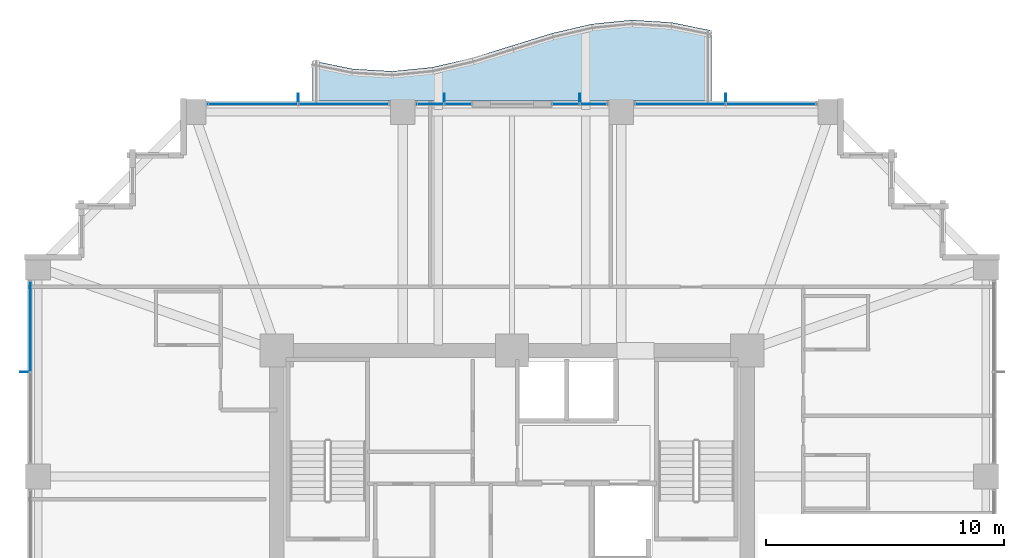
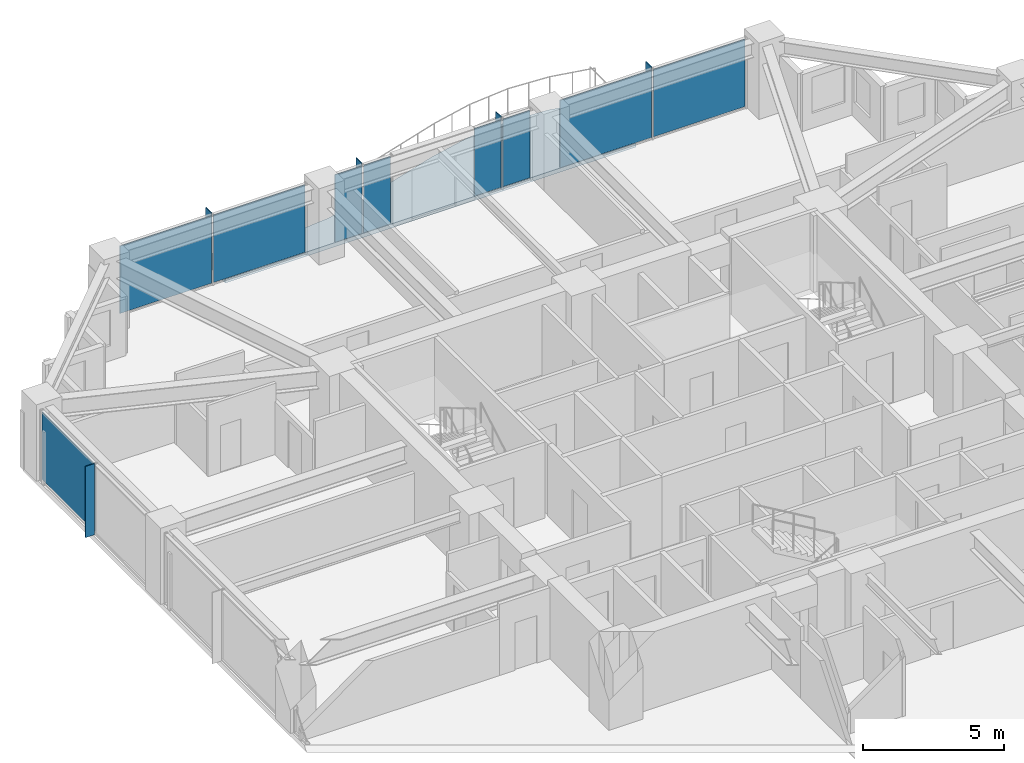
# One storey, part 30 of 38: 14 plates, 1 slab, 5 elements without a shape of their own.
"""IFC4 building model written with IfcOpenShell, lengths in metres."""

from ifc_helpers import new_model, si_unit, direction, frame, origin, origin_2d, place, context, subcontext, project, spatial, polyline, rectangle, outline, extrude, material, layer, layer_set, type_object, element, aggregate, save


model = new_model("IFC4")

# Units and contexts
model_context = context("Model", 3, precision=1e-05, world=origin(), true_north=direction((0.0, 1.0)))
body_context = subcontext(model_context, "Body", "Model", "MODEL_VIEW")
ifc_project = project(units=[si_unit("LENGTHUNIT", "METRE"), si_unit("AREAUNIT", "SQUARE_METRE"), si_unit("VOLUMEUNIT", "CUBIC_METRE"), si_unit("PLANEANGLEUNIT", "RADIAN"), si_unit("MASSUNIT", "GRAM", prefix="KILO")], contexts=[model_context])

# Site, building, storey
site_placement = place(None, origin())
site = spatial("IfcSite", under=ifc_project, at=site_placement, CompositionType="ELEMENT")
building_placement = place(site_placement, origin())
building = spatial("IfcBuilding", under=site, at=building_placement, Name="Kolvaren Belvedere", CompositionType="ELEMENT")
storey_placement = place(building_placement, frame((0.0, 0.0, 98.60009765625)))
storey = spatial("IfcBuildingStorey", under=building, at=storey_placement, Name="L28", CompositionType="ELEMENT", Elevation=98.60009765625)

# Curtain wall, plates
ifc_material_1 = material(Name="Anodised pale-metal aluminium AA 6063-T6", Category="aluminium")
curtain_wall_type = type_object("IfcCurtainWallType", Name="CW-Z2-MID", PredefinedType="NOTDEFINED", material=ifc_material_1)
curtain_wall_1_placement = place(storey_placement, origin())
curtain_wall_1 = element("IfcCurtainWall", 1, at=curtain_wall_1_placement, inside=storey, type_object=curtain_wall_type, Name="L28 Unitised Curtain Wall FCW-L28-N1-B1", PredefinedType="NOTDEFINED")
ifc_material_2 = material(Name="Low-iron triple insulated glass", Category="glass")
ifc_layer_1 = layer(ifc_material_2, 0.028076171875)
ifc_layer_set_1 = layer_set([ifc_layer_1], Name="Low-iron triple insulated glass")
plate_type_1 = type_object("IfcPlateType", Name="CW-PNL-VIS28", PredefinedType="CURTAIN_PANEL", material=ifc_layer_set_1)
plate_1_placement = place(storey_placement, frame((-10.9111328125, 20.280029296875, 0.079833984375), z_axis=(0.0, 0.0, 1.0), x_axis=(1.0, 0.0, 0.0)))
plate_1 = element("IfcPlate", 2, at=plate_1_placement, type_object=plate_type_1, Name="FCW-L28-N1-B1 Vision Glazing Panel 1", PredefinedType="CURTAIN_PANEL", context=body_context, shape_type="SweptSolid", body=[
    extrude(rectangle(XDim=3.742431640625, YDim=0.028076171875, at=origin_2d()), origin(), (0.0, 0.0, 1.0), 2.919921875),
])
plate_2_placement = place(storey_placement, frame((-7.0888671875, 20.280029296875, 0.079833984375), z_axis=(0.0, 0.0, 1.0), x_axis=(1.0, 0.0, 0.0)))
plate_2 = element("IfcPlate", 3, at=plate_2_placement, type_object=plate_type_1, Name="FCW-L28-N1-B1 Vision Glazing Panel 2", PredefinedType="CURTAIN_PANEL", context=body_context, shape_type="SweptSolid", body=[
    extrude(rectangle(XDim=3.742431640625, YDim=0.028076171875, at=origin_2d()), origin(), (0.0, 0.0, 1.0), 2.919921875),
])
aggregate(curtain_wall_1, [plate_1, plate_2])

curtain_wall_2_placement = place(storey_placement, origin())
curtain_wall_2 = element("IfcCurtainWall", 4, at=curtain_wall_2_placement, inside=storey, type_object=curtain_wall_type, Name="L28 Unitised Curtain Wall FCW-L28-N1-B2", PredefinedType="NOTDEFINED")
plate_3_placement = place(storey_placement, frame((-3.43701171875, 20.280029296875, 0.079833984375), z_axis=(0.0, 0.0, 1.0), x_axis=(1.0, 0.0, 0.0)))
plate_3 = element("IfcPlate", 5, at=plate_3_placement, type_object=plate_type_1, Name="FCW-L28-N1-B2 Vision Glazing Panel 1", PredefinedType="CURTAIN_PANEL", context=body_context, shape_type="SweptSolid", body=[
    extrude(rectangle(XDim=1.09130859375, YDim=0.028076171875, at=origin_2d()), origin(), (0.0, 0.0, 1.0), 2.919921875),
])
plate_4_placement = place(storey_placement, frame((-2.265625, 20.280029296875, 0.079833984375), z_axis=(0.0, 0.0, 1.0), x_axis=(1.0, 0.0, 0.0)))
plate_4 = element("IfcPlate", 6, at=plate_4_placement, type_object=plate_type_1, Name="FCW-L28-N1-B2 Vision Glazing Panel 2", PredefinedType="CURTAIN_PANEL", context=body_context, shape_type="SweptSolid", body=[
    extrude(rectangle(XDim=1.09130859375, YDim=0.028076171875, at=origin_2d()), origin(), (0.0, 0.0, 1.0), 2.919921875),
])
aggregate(curtain_wall_2, [plate_3, plate_4])

curtain_wall_3_placement = place(storey_placement, origin())
curtain_wall_3 = element("IfcCurtainWall", 7, at=curtain_wall_3_placement, inside=storey, type_object=curtain_wall_type, Name="L28 Unitised Curtain Wall FCW-L28-N2-B1", PredefinedType="NOTDEFINED")
plate_5_placement = place(storey_placement, frame((2.265625, 20.280029296875, 0.079833984375), z_axis=(0.0, 0.0, 1.0), x_axis=(1.0, 0.0, 0.0)))
plate_5 = element("IfcPlate", 8, at=plate_5_placement, type_object=plate_type_1, Name="FCW-L28-N2-B1 Vision Glazing Panel 1", PredefinedType="CURTAIN_PANEL", context=body_context, shape_type="SweptSolid", body=[
    extrude(rectangle(XDim=1.09130859375, YDim=0.028076171875, at=origin_2d()), origin(), (0.0, 0.0, 1.0), 2.919921875),
])
plate_6_placement = place(storey_placement, frame((3.43701171875, 20.280029296875, 0.079833984375), z_axis=(0.0, 0.0, 1.0), x_axis=(1.0, 0.0, 0.0)))
plate_6 = element("IfcPlate", 9, at=plate_6_placement, type_object=plate_type_1, Name="FCW-L28-N2-B1 Vision Glazing Panel 2", PredefinedType="CURTAIN_PANEL", context=body_context, shape_type="SweptSolid", body=[
    extrude(rectangle(XDim=1.09130859375, YDim=0.028076171875, at=origin_2d()), origin(), (0.0, 0.0, 1.0), 2.919921875),
])
aggregate(curtain_wall_3, [plate_5, plate_6])

curtain_wall_4_placement = place(storey_placement, origin())
curtain_wall_4 = element("IfcCurtainWall", 10, at=curtain_wall_4_placement, inside=storey, type_object=curtain_wall_type, Name="L28 Unitised Curtain Wall FCW-L28-N2-B2", PredefinedType="NOTDEFINED")
plate_7_placement = place(storey_placement, frame((7.0888671875, 20.280029296875, 0.079833984375), z_axis=(0.0, 0.0, 1.0), x_axis=(1.0, 0.0, 0.0)))
plate_7 = element("IfcPlate", 11, at=plate_7_placement, type_object=plate_type_1, Name="FCW-L28-N2-B2 Vision Glazing Panel 1", PredefinedType="CURTAIN_PANEL", context=body_context, shape_type="SweptSolid", body=[
    extrude(rectangle(XDim=3.742431640625, YDim=0.028076171875, at=origin_2d()), origin(), (0.0, 0.0, 1.0), 2.919921875),
])
plate_8_placement = place(storey_placement, frame((10.9111328125, 20.280029296875, 0.079833984375), z_axis=(0.0, 0.0, 1.0), x_axis=(1.0, 0.0, 0.0)))
plate_8 = element("IfcPlate", 12, at=plate_8_placement, type_object=plate_type_1, Name="FCW-L28-N2-B2 Vision Glazing Panel 2", PredefinedType="CURTAIN_PANEL", context=body_context, shape_type="SweptSolid", body=[
    extrude(rectangle(XDim=3.742431640625, YDim=0.028076171875, at=origin_2d()), origin(), (0.0, 0.0, 1.0), 2.919921875),
])
aggregate(curtain_wall_4, [plate_7, plate_8])

# Curtain wall, plate
curtain_wall_5_placement = place(storey_placement, origin())
curtain_wall_5 = element("IfcCurtainWall", 13, at=curtain_wall_5_placement, inside=storey, type_object=curtain_wall_type, Name="L28 Unitised Curtain Wall FCW-L28-W-B3", PredefinedType="NOTDEFINED")
plate_9_placement = place(storey_placement, frame((-20.280029296875, 10.9111328125, 0.079833984375), z_axis=(0.0, 0.0, 1.0), x_axis=(0.0, 1.0, 0.0)))
plate_9 = element("IfcPlate", 14, at=plate_9_placement, type_object=plate_type_1, Name="FCW-L28-W-B3 Vision Glazing Panel 2", PredefinedType="CURTAIN_PANEL", context=body_context, shape_type="SweptSolid", body=[
    extrude(rectangle(XDim=3.742431640625, YDim=0.028076171875, at=origin_2d()), origin(), (0.0, 0.0, 1.0), 2.919921875),
])
aggregate(curtain_wall_5, [plate_9])

# Plates
ifc_material_3 = material(Name="Anodised pale-metal aluminium AA 6063-T6", Category="aluminium")
ifc_layer_2 = layer(ifc_material_3, 0.033935546875)
ifc_layer_set_2 = layer_set([ifc_layer_2], Name="Anodised pale-metal aluminium AA 6063-T6")
plate_type_2 = type_object("IfcPlateType", Name="FIN-VERT-380", PredefinedType="USERDEFINED", material=ifc_layer_set_2)
for number, where, z_axis, x_axis, name in (
    (15, (-9.0, 20.52490234375, -0.000244140625), (0.0, 0.0, 1.0), (0.0, 1.0, 0.0), "L28 Pale-Metal Vertical Shading Fin FCW-L28-N1-B1-1"),
    (16, (-2.851318359375, 20.52490234375, -0.000244140625), (0.0, 0.0, 1.0), (0.0, 1.0, 0.0), "L28 Pale-Metal Vertical Shading Fin FCW-L28-N1-B2-1"),
    (17, (2.851318359375, 20.52490234375, -0.000244140625), (0.0, 0.0, 1.0), (0.0, 1.0, 0.0), "L28 Pale-Metal Vertical Shading Fin FCW-L28-N2-B1-1"),
    (18, (9.0, 20.52490234375, -0.000244140625), (0.0, 0.0, 1.0), (0.0, 1.0, 0.0), "L28 Pale-Metal Vertical Shading Fin FCW-L28-N2-B2-1"),
    (19, (-20.52490234375, 9.0, -0.000244140625), (0.0, 0.0, 1.0), (1.0, 0.0, 0.0), "L28 Pale-Metal Vertical Shading Fin FCW-L28-W-B3-1"),
):
    element("IfcPlate", number, at=place(storey_placement, frame(where, z_axis=z_axis, x_axis=x_axis)), inside=storey, type_object=plate_type_2, Name=name, ObjectType="VERTICAL FIN", PredefinedType="USERDEFINED", context=body_context, shape_type="SweptSolid", body=[
        extrude(rectangle(XDim=0.3798828125, YDim=0.033935546875, at=origin_2d()), origin(), (0.0, 0.0, 1.0), 3.080078125),
    ])

# Slab
ifc_material_4 = material(Name="Concrete C50/60", Category="concrete")
ifc_layer_3 = layer(ifc_material_4, 0.179931640625)
ifc_layer_set_3 = layer_set([ifc_layer_3], Name="Concrete C50/60")
slab_type = type_object("IfcSlabType", Name="SL-BAL-180", PredefinedType="FLOOR", material=ifc_layer_set_3)
slab_placement = place(storey_placement, frame((0.0, 0.0, -0.22021484375)))
element("IfcSlab", 20, at=slab_placement, inside=storey, type_object=slab_type, Name="L28 Planted Balcony BAL-N", PredefinedType="FLOOR", context=body_context, shape_type="SweptSolid", body=[
    extrude(outline(polyline([(-8.39990234375, 20.39990234375), (-6.719970703125, 20.39990234375), (-5.0400390625, 20.39990234375), (-3.360107421875, 20.39990234375), (-1.679931640625, 20.39990234375), (0.0, 20.39990234375), (1.679931640625, 20.39990234375), (3.360107421875, 20.39990234375), (5.0400390625, 20.39990234375), (6.719970703125, 20.39990234375), (8.39990234375, 20.39990234375), (8.39990234375, 23.374755859375), (6.719970703125, 23.71728515625), (5.0400390625, 23.820068359375), (3.360107421875, 23.65185546875), (1.679931640625, 23.26025390625), (0.0, 22.739990234375), (-1.679931640625, 22.2197265625), (-3.360107421875, 21.828125), (-5.0400390625, 21.662109375), (-6.719970703125, 21.7626953125), (-8.39990234375, 22.105224609375), (-8.39990234375, 20.39990234375)])), origin(), (0.0, 0.0, 1.0), 0.18017578125),
])

save(model, "model.ifc")
